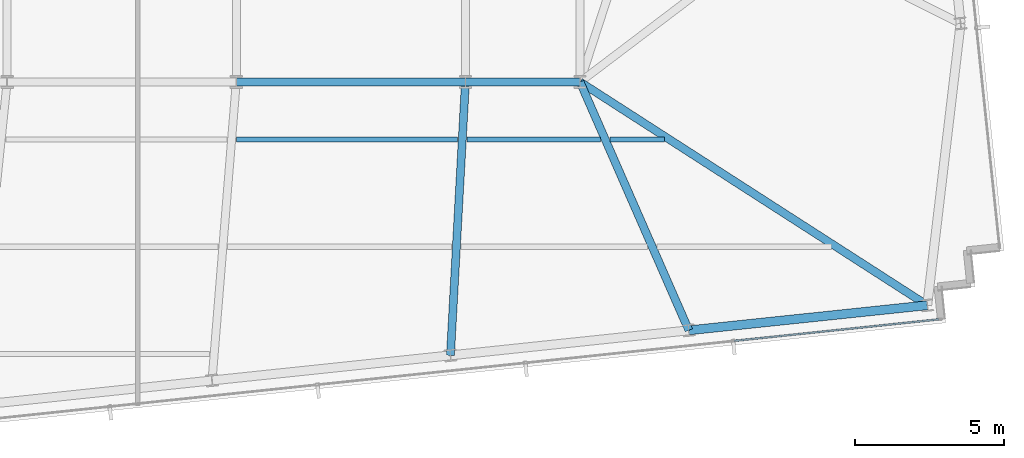
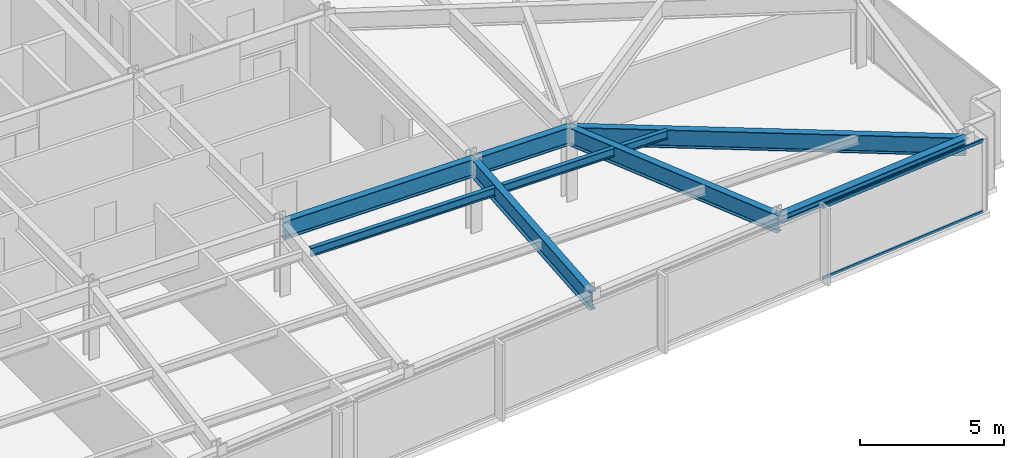
# One storey, part 16 of 32: 9 beams, 2 members, 1 element without a shape of its own.
"""IFC4 building model written with IfcOpenShell, lengths in metres."""

from ifc_helpers import new_model, si_unit, direction, frame, origin, origin_2d, place, context, subcontext, project, spatial, hollow_rectangle, i_section, extrude, material, material_profile, profile_set, type_object, element, aggregate, save


model = new_model("IFC4")

# Units and contexts
model_context = context("Model", 3, precision=1e-05, world=origin(), true_north=direction((0.0, 1.0)))
body_context = subcontext(model_context, "Body", "Model", "MODEL_VIEW")
ifc_project = project(units=[si_unit("LENGTHUNIT", "METRE"), si_unit("AREAUNIT", "SQUARE_METRE"), si_unit("VOLUMEUNIT", "CUBIC_METRE"), si_unit("PLANEANGLEUNIT", "RADIAN"), si_unit("MASSUNIT", "GRAM", prefix="KILO")], contexts=[model_context])

# Site, building, storey
site_placement = place(None, origin())
site = spatial("IfcSite", under=ifc_project, at=site_placement, CompositionType="ELEMENT")
building_placement = place(site_placement, origin())
building = spatial("IfcBuilding", under=site, at=building_placement, Name="Yelkora Congress Tower", CompositionType="ELEMENT")
storey_placement = place(building_placement, frame((0.0, 0.0, 207.800048828125)))
storey = spatial("IfcBuildingStorey", under=building, at=storey_placement, Name="L57", CompositionType="ELEMENT", Elevation=207.800048828125)

# Beams
ifc_material_1 = material(Name="Steel S355J2", Category="steel")
ifc_material_profile_1 = material_profile(ifc_material_1, i_section(OverallWidth=0.26708984375, OverallDepth=0.761962890625, WebThickness=0.014404296875, FlangeThickness=0.021484375, FilletRadius=0.01708984375, at=origin_2d()), Name="IPE 750x173")
ifc_profile_set_1 = profile_set([ifc_material_profile_1], Name="Steel S355J2")
beam_type_1 = type_object("IfcBeamType", Name="BM-GIRD-IPE750", PredefinedType="BEAM", material=ifc_profile_set_1)
beam_1_placement = place(storey_placement, frame((46.080078125, 25.199951171875, 2.698974609375), z_axis=(1.0, 0.0, 0.0), x_axis=(0.0, 1.0, 0.0)))
element("IfcBeam", 1, at=beam_1_placement, inside=storey, type_object=beam_type_1, Name="L57 Spine Grid D Girder 5", PredefinedType="BEAM", context=body_context, shape_type="SweptSolid", body=[
    extrude(i_section(OverallWidth=0.26708984375, OverallDepth=0.761962890625, WebThickness=0.014404296875, FlangeThickness=0.021484375, FilletRadius=0.01708984375, at=origin_2d()), origin(), (0.0, 0.0, 1.0), 7.679931640625),
])
beam_2_placement = place(storey_placement, frame((53.760009765625, 25.199951171875, 2.698974609375), z_axis=(1.0, 0.0, 0.0), x_axis=(0.0, 1.0, 0.0)))
element("IfcBeam", 2, at=beam_2_placement, inside=storey, type_object=beam_type_1, Name="L57 Spine Grid D Girder 6", PredefinedType="BEAM", context=body_context, shape_type="SweptSolid", body=[
    extrude(i_section(OverallWidth=0.26708984375, OverallDepth=0.761962890625, WebThickness=0.014404296875, FlangeThickness=0.021484375, FilletRadius=0.01708984375, at=origin_2d()), origin(), (0.0, 0.0, 1.0), 3.840087890625),
])
beam_3_placement = place(storey_placement, frame((53.25634765625, 16.037353515625, 2.698974609375), z_axis=(0.054886497042, 0.998492600094, 0.0), x_axis=(-0.998492600094, 0.054886497042, 0.0)))
element("IfcBeam", 3, at=beam_3_placement, inside=storey, type_object=beam_type_1, Name="L57 Primary Frame Girder S05", PredefinedType="BEAM", context=body_context, shape_type="SweptSolid", body=[
    extrude(i_section(OverallWidth=0.26708984375, OverallDepth=0.761962890625, WebThickness=0.014404296875, FlangeThickness=0.021484375, FilletRadius=0.01708984375, at=origin_2d()), origin(), (0.0, 0.0, 1.0), 9.176513671875),
])
beam_4_placement = place(storey_placement, frame((61.24560546875, 16.877197265625, 2.698974609375), z_axis=(-0.401216289608, 0.915983345347, 0.0), x_axis=(-0.915983345347, -0.401216289608, 0.0)))
element("IfcBeam", 4, at=beam_4_placement, inside=storey, type_object=beam_type_1, Name="L57 Primary Frame Girder S06", PredefinedType="BEAM", context=body_context, shape_type="SweptSolid", body=[
    extrude(i_section(OverallWidth=0.26708984375, OverallDepth=0.761962890625, WebThickness=0.014404296875, FlangeThickness=0.021484375, FilletRadius=0.01708984375, at=origin_2d()), origin(), (0.0, 0.0, 1.0), 9.086181640625),
])
beam_5_placement = place(storey_placement, frame((69.235107421875, 17.716796875, 2.698974609375), z_axis=(-0.841063201017, 0.54093686498, 0.0), x_axis=(-0.54093686498, -0.841063201017, 0.0)))
element("IfcBeam", 5, at=beam_5_placement, inside=storey, type_object=beam_type_1, Name="L57 Primary Frame Girder S07", PredefinedType="BEAM", context=body_context, shape_type="SweptSolid", body=[
    extrude(i_section(OverallWidth=0.26708984375, OverallDepth=0.761962890625, WebThickness=0.014404296875, FlangeThickness=0.021484375, FilletRadius=0.01708984375, at=origin_2d()), origin(), (0.0, 0.0, 1.0), 13.833740234375),
])
ifc_material_profile_2 = material_profile(ifc_material_1, i_section(OverallWidth=0.169921875, OverallDepth=0.360107421875, WebThickness=0.008056640625, FlangeThickness=0.0126953125, FilletRadius=0.01806640625, at=origin_2d()), Name="IPE 360")
ifc_profile_set_2 = profile_set([ifc_material_profile_2], Name="Steel S355J2")
beam_type_2 = type_object("IfcBeamType", Name="BM-JOIST-IPE360", PredefinedType="JOIST", material=ifc_profile_set_2)
beam_6_placement = place(storey_placement, frame((46.083740234375, 23.278564453125, 2.89990234375), z_axis=(1.0, 0.0, 0.0), x_axis=(0.0, 1.0, 0.0)))
element("IfcBeam", 6, at=beam_6_placement, inside=storey, type_object=beam_type_2, Name="L57 Composite Floor Joist 12", PredefinedType="JOIST", context=body_context, shape_type="SweptSolid", body=[
    extrude(i_section(OverallWidth=0.169921875, OverallDepth=0.360107421875, WebThickness=0.008056640625, FlangeThickness=0.0126953125, FilletRadius=0.01806640625, at=origin_2d()), origin(), (0.0, 0.0, 1.0), 7.41064453125),
])
beam_7_placement = place(storey_placement, frame((53.814453125, 23.278564453125, 2.89990234375), z_axis=(1.0, 0.0, 0.0), x_axis=(0.0, 1.0, 0.0)))
element("IfcBeam", 7, at=beam_7_placement, inside=storey, type_object=beam_type_2, Name="L57 Composite Floor Joist 13", PredefinedType="JOIST", context=body_context, shape_type="SweptSolid", body=[
    extrude(i_section(OverallWidth=0.169921875, OverallDepth=0.360107421875, WebThickness=0.008056640625, FlangeThickness=0.0126953125, FilletRadius=0.01806640625, at=origin_2d()), origin(), (0.0, 0.0, 1.0), 4.46728515625),
])
beam_8_placement = place(storey_placement, frame((58.601806640625, 23.278564453125, 2.89990234375), z_axis=(1.0, 0.0, 0.0), x_axis=(0.0, 1.0, 0.0)))
element("IfcBeam", 8, at=beam_8_placement, inside=storey, type_object=beam_type_2, Name="L57 Composite Floor Joist 14", PredefinedType="JOIST", context=body_context, shape_type="SweptSolid", body=[
    extrude(i_section(OverallWidth=0.169921875, OverallDepth=0.360107421875, WebThickness=0.008056640625, FlangeThickness=0.0126953125, FilletRadius=0.01806640625, at=origin_2d()), origin(), (0.0, 0.0, 1.0), 1.82568359375),
])
ifc_material_profile_3 = material_profile(ifc_material_1, i_section(OverallWidth=0.300048828125, OverallDepth=0.340087890625, WebThickness=0.011962890625, FlangeThickness=0.021484375, FilletRadius=0.027099609375, at=origin_2d()), Name="HEB 340")
ifc_profile_set_3 = profile_set([ifc_material_profile_3], Name="Steel S355J2")
beam_type_3 = type_object("IfcBeamType", Name="BM-SPAN-HEB340", PredefinedType="SPANDREL", material=ifc_profile_set_3)
beam_9_placement = place(storey_placement, frame((61.24560546875, 16.877197265625, 2.909912109375), z_axis=(0.99452358891, 0.104512349038, 0.0), x_axis=(-0.104512349038, 0.99452358891, 0.0)))
element("IfcBeam", 9, at=beam_9_placement, inside=storey, type_object=beam_type_3, Name="L57 Perimeter Beam 8", PredefinedType="SPANDREL", context=body_context, shape_type="SweptSolid", body=[
    extrude(i_section(OverallWidth=0.300048828125, OverallDepth=0.340087890625, WebThickness=0.011962890625, FlangeThickness=0.021484375, FilletRadius=0.027099609375, at=origin_2d()), origin(), (0.0, 0.0, 1.0), 8.033447265625),
])

# Curtain wall, members
ifc_material_2 = material(Name="Anodised aluminium and insulated glass", Category="aluminium")
curtain_wall_type = type_object("IfcCurtainWallType", Name="CW-SYS-B4", PredefinedType="NOTDEFINED", material=ifc_material_2)
curtain_wall_placement = place(storey_placement, origin())
curtain_wall = element("IfcCurtainWall", 10, at=curtain_wall_placement, inside=storey, type_object=curtain_wall_type, Name="L57 Unitised Curtain Wall 20", PredefinedType="NOTDEFINED")
ifc_material_3 = material(Name="Anodised aluminium 6063-T6", Category="aluminium")
ifc_material_profile_4 = material_profile(ifc_material_3, hollow_rectangle(XDim=0.06005859375, YDim=0.1298828125, WallThickness=0.00390625, at=origin_2d()), Name="ALU 60x130x4")
ifc_profile_set_4 = profile_set([ifc_material_profile_4], Name="Anodised aluminium 6063-T6")
member_type = type_object("IfcMemberType", Name="MEM-TR-B4", PredefinedType="USERDEFINED", material=ifc_profile_set_4)
member_1_placement = place(storey_placement, frame((69.63134765625, 17.24560546875, 0.030029296875), z_axis=(-0.994523648539, -0.104511781616, 0.0), x_axis=(0.104511781616, -0.994523648539, 0.0)))
member_1 = element("IfcMember", 11, at=member_1_placement, type_object=member_type, Name="CW-B4 transom 1.1", ObjectType="TRANSOM", PredefinedType="USERDEFINED", context=body_context, shape_type="SweptSolid", body=[
    extrude(hollow_rectangle(XDim=0.06005859375, YDim=0.1298828125, WallThickness=0.00390625, at=origin_2d()), origin(), (0.0, 0.0, 1.0), 6.9052734375),
])
member_2_placement = place(storey_placement, frame((69.63134765625, 17.24560546875, 3.050048828125), z_axis=(-0.994523648539, -0.104511781616, 0.0), x_axis=(0.104511781616, -0.994523648539, 0.0)))
member_2 = element("IfcMember", 12, at=member_2_placement, type_object=member_type, Name="CW-B4 transom 1.2", ObjectType="TRANSOM", PredefinedType="USERDEFINED", context=body_context, shape_type="SweptSolid", body=[
    extrude(hollow_rectangle(XDim=0.06005859375, YDim=0.1298828125, WallThickness=0.00390625, at=origin_2d()), origin(), (0.0, 0.0, 1.0), 6.9052734375),
])
aggregate(curtain_wall, [member_1, member_2])

save(model, "model.ifc")
